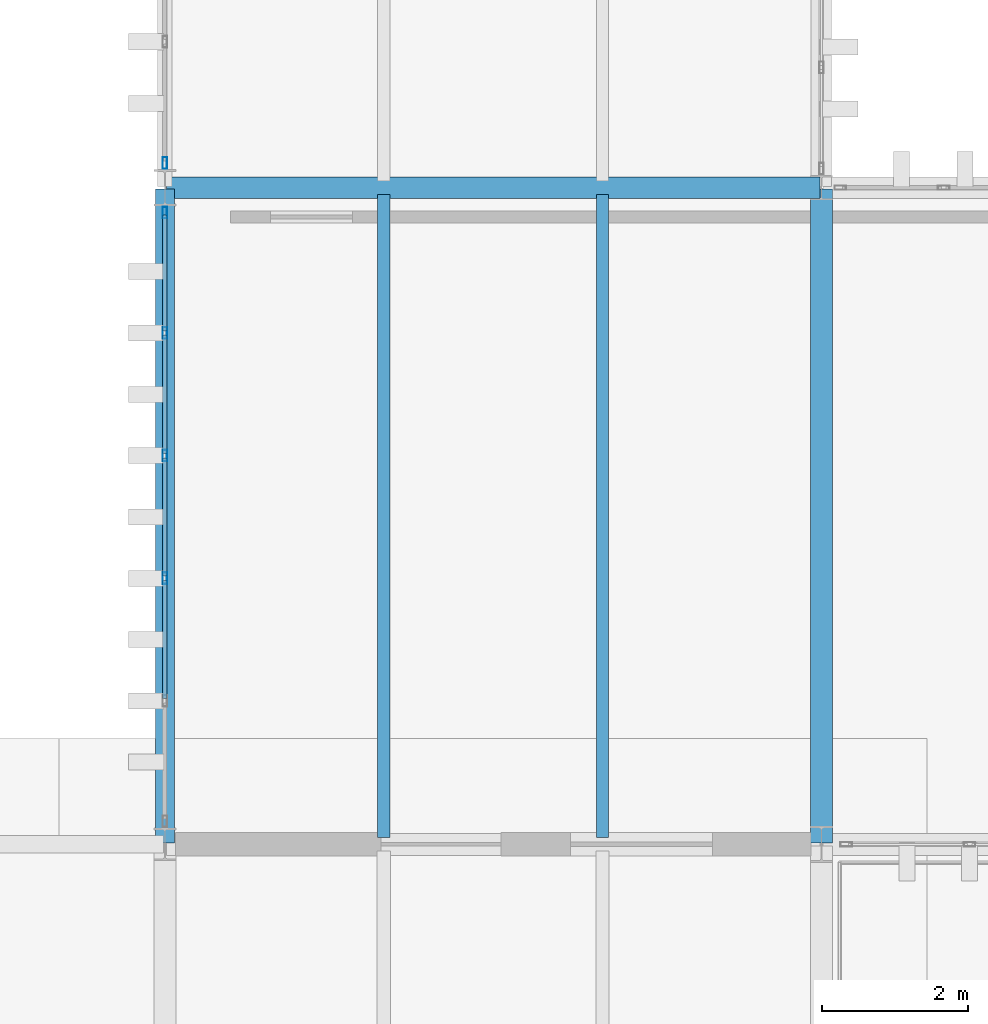
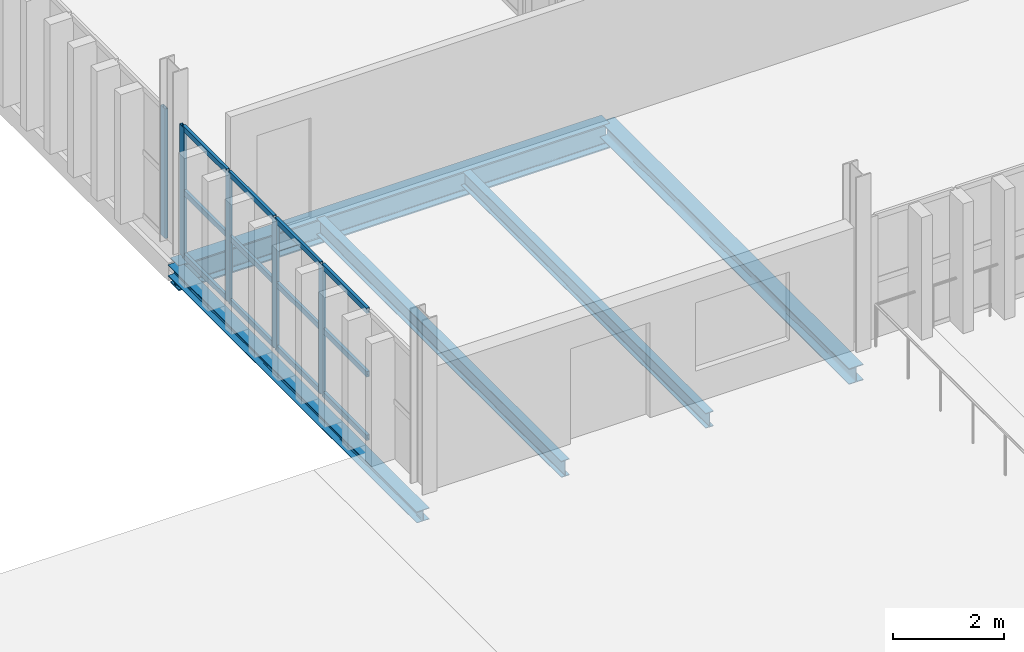
# One storey, part 37 of 102: 17 members, 5 beams, 2 elements without a shape of their own.
"""IFC4 building model written with IfcOpenShell, lengths in metres."""

from ifc_helpers import new_model, si_unit, direction, frame, origin, origin_2d, place, context, subcontext, project, spatial, hollow_rectangle, i_section, extrude, material, layer, layer_set, material_profile, profile_set, type_object, element, aggregate, save


model = new_model("IFC4")

# Units and contexts
model_context = context("Model", 3, precision=1e-05, world=origin(), true_north=direction((0.0, 1.0)))
body_context = subcontext(model_context, "Body", "Model", "MODEL_VIEW")
ifc_project = project(units=[si_unit("LENGTHUNIT", "METRE"), si_unit("AREAUNIT", "SQUARE_METRE"), si_unit("VOLUMEUNIT", "CUBIC_METRE"), si_unit("PLANEANGLEUNIT", "RADIAN"), si_unit("MASSUNIT", "GRAM", prefix="KILO")], contexts=[model_context])

# Site, building, storey
site_placement = place(None, origin())
site = spatial("IfcSite", under=ifc_project, at=site_placement, CompositionType="ELEMENT")
building_placement = place(site_placement, origin())
building = spatial("IfcBuilding", under=site, at=building_placement, Name="Barlavento Convention Centre", CompositionType="ELEMENT")
storey_placement = place(building_placement, frame((0.0, 0.0, 22.800048828125)))
storey = spatial("IfcBuildingStorey", under=building, at=storey_placement, Name="L04", CompositionType="ELEMENT", Elevation=22.800048828125)

# Curtain wall, members
ifc_material_1 = material(Name="Powder-coated aluminium and Low-E glass", Category="aluminium")
ifc_layer = layer(ifc_material_1, 0.18505859375)
ifc_layer_set = layer_set([ifc_layer], Name="ARC-CW-CONF-L04")
curtain_wall_type = type_object("IfcCurtainWallType", Name="ARC-CW-CONF-L04", PredefinedType="NOTDEFINED", material=ifc_layer_set)
curtain_wall_1_placement = place(storey_placement, origin())
curtain_wall_1 = element("IfcCurtainWall", 1, at=curtain_wall_1_placement, inside=storey, type_object=curtain_wall_type, Name="L04 unitised curtain wall CW09", PredefinedType="NOTDEFINED")
ifc_material_2 = material(Name="Powder-coated aluminium", Category="aluminium")
ifc_material_profile_1 = material_profile(ifc_material_2, hollow_rectangle(XDim=0.06005859375, YDim=0.159912109375, WallThickness=0.00390625, at=origin_2d()), Name="AL-MULL 60x160x4")
ifc_profile_set_1 = profile_set([ifc_material_profile_1], Name="Powder-coated aluminium")
member_type_1 = type_object("IfcMemberType", Name="ARC-CWM-60X160", PredefinedType="MULLION", material=ifc_profile_set_1)
member_1_placement = place(storey_placement, frame((126.0, 57.64697265625, 0.0), z_axis=(0.0, 0.0, 1.0), x_axis=(-1.0, 0.0, 0.0)))
member_1 = element("IfcMember", 2, at=member_1_placement, type_object=member_type_1, Name="CW09 mullion 3", PredefinedType="MULLION", context=body_context, shape_type="SweptSolid", body=[
    extrude(hollow_rectangle(XDim=0.06005859375, YDim=0.159912109375, WallThickness=0.00390625, at=origin_2d()), origin(), (0.0, 0.0, 1.0), 2.849853515625),
])
member_2_placement = place(storey_placement, frame((126.0, 59.327880859375, 0.0), z_axis=(0.0, 0.0, 1.0), x_axis=(-1.0, 0.0, 0.0)))
member_2 = element("IfcMember", 3, at=member_2_placement, type_object=member_type_1, Name="CW09 mullion 4", PredefinedType="MULLION", context=body_context, shape_type="SweptSolid", body=[
    extrude(hollow_rectangle(XDim=0.06005859375, YDim=0.159912109375, WallThickness=0.00390625, at=origin_2d()), origin(), (0.0, 0.0, 1.0), 2.849853515625),
])
member_3_placement = place(storey_placement, frame((126.0, 61.009033203125, 0.0), z_axis=(0.0, 0.0, 1.0), x_axis=(-1.0, 0.0, 0.0)))
member_3 = element("IfcMember", 4, at=member_3_placement, type_object=member_type_1, Name="CW09 mullion 5", PredefinedType="MULLION", context=body_context, shape_type="SweptSolid", body=[
    extrude(hollow_rectangle(XDim=0.06005859375, YDim=0.159912109375, WallThickness=0.00390625, at=origin_2d()), origin(), (0.0, 0.0, 1.0), 2.849853515625),
])
member_4_placement = place(storey_placement, frame((126.0, 62.659912109375, 0.0), z_axis=(0.0, 0.0, 1.0), x_axis=(-1.0, 0.0, 0.0)))
member_4 = element("IfcMember", 5, at=member_4_placement, type_object=member_type_1, Name="CW09 mullion 6", PredefinedType="MULLION", context=body_context, shape_type="SweptSolid", body=[
    extrude(hollow_rectangle(XDim=0.06005859375, YDim=0.159912109375, WallThickness=0.00390625, at=origin_2d()), origin(), (0.0, 0.0, 1.0), 2.849853515625),
])

# Curtain wall, member
curtain_wall_2_placement = place(storey_placement, origin())
curtain_wall_2 = element("IfcCurtainWall", 6, at=curtain_wall_2_placement, inside=storey, type_object=curtain_wall_type, Name="L04 unitised curtain wall CW09", PredefinedType="NOTDEFINED")
member_5_placement = place(storey_placement, frame((126.0, 63.340087890625, 0.0), z_axis=(0.0, 0.0, 1.0), x_axis=(-1.0, 0.0, 0.0)))
member_5 = element("IfcMember", 7, at=member_5_placement, type_object=member_type_1, Name="CW09 mullion 1", PredefinedType="MULLION", context=body_context, shape_type="SweptSolid", body=[
    extrude(hollow_rectangle(XDim=0.06005859375, YDim=0.159912109375, WallThickness=0.00390625, at=origin_2d()), origin(), (0.0, 0.0, 1.0), 2.849853515625),
])
aggregate(curtain_wall_2, [member_5])

# Member
ifc_material_profile_2 = material_profile(ifc_material_2, hollow_rectangle(XDim=0.06005859375, YDim=0.1201171875, WallThickness=0.00390625, at=origin_2d()), Name="AL-TRAN 60x120x4")
ifc_profile_set_2 = profile_set([ifc_material_profile_2], Name="Powder-coated aluminium")
member_type_2 = type_object("IfcMemberType", Name="ARC-CWT-60X120", PredefinedType="USERDEFINED", material=ifc_profile_set_2)
member_6_placement = place(storey_placement, frame((126.0, 55.99609375, 0.030029296875), z_axis=(0.0, 1.0, 0.0), x_axis=(-1.0, 0.0, 0.0)))
member_6 = element("IfcMember", 8, at=member_6_placement, type_object=member_type_2, Name="CW09 transom 2.1", ObjectType="TRANSOM", PredefinedType="USERDEFINED", context=body_context, shape_type="SweptSolid", body=[
    extrude(hollow_rectangle(XDim=0.06005859375, YDim=0.1201171875, WallThickness=0.00390625, at=origin_2d()), origin(), (0.0, 0.0, 1.0), 1.620849609375),
])

member_7_placement = place(storey_placement, frame((126.0, 55.99609375, 1.425048828125), z_axis=(0.0, 1.0, 0.0), x_axis=(-1.0, 0.0, 0.0)))
member_7 = element("IfcMember", 9, at=member_7_placement, type_object=member_type_2, Name="CW09 transom 2.2", ObjectType="TRANSOM", PredefinedType="USERDEFINED", context=body_context, shape_type="SweptSolid", body=[
    extrude(hollow_rectangle(XDim=0.06005859375, YDim=0.1201171875, WallThickness=0.00390625, at=origin_2d()), origin(), (0.0, 0.0, 1.0), 1.620849609375),
])

member_8_placement = place(storey_placement, frame((126.0, 55.99609375, 2.820068359375), z_axis=(0.0, 1.0, 0.0), x_axis=(-1.0, 0.0, 0.0)))
member_8 = element("IfcMember", 10, at=member_8_placement, type_object=member_type_2, Name="CW09 transom 2.3", ObjectType="TRANSOM", PredefinedType="USERDEFINED", context=body_context, shape_type="SweptSolid", body=[
    extrude(hollow_rectangle(XDim=0.06005859375, YDim=0.1201171875, WallThickness=0.00390625, at=origin_2d()), origin(), (0.0, 0.0, 1.0), 1.620849609375),
])

member_9_placement = place(storey_placement, frame((126.0, 57.677001953125, 0.030029296875), z_axis=(0.0, 1.0, 0.0), x_axis=(-1.0, 0.0, 0.0)))
member_9 = element("IfcMember", 11, at=member_9_placement, type_object=member_type_2, Name="CW09 transom 3.1", ObjectType="TRANSOM", PredefinedType="USERDEFINED", context=body_context, shape_type="SweptSolid", body=[
    extrude(hollow_rectangle(XDim=0.06005859375, YDim=0.1201171875, WallThickness=0.00390625, at=origin_2d()), origin(), (0.0, 0.0, 1.0), 1.62109375),
])

member_10_placement = place(storey_placement, frame((126.0, 57.677001953125, 1.425048828125), z_axis=(0.0, 1.0, 0.0), x_axis=(-1.0, 0.0, 0.0)))
member_10 = element("IfcMember", 12, at=member_10_placement, type_object=member_type_2, Name="CW09 transom 3.2", ObjectType="TRANSOM", PredefinedType="USERDEFINED", context=body_context, shape_type="SweptSolid", body=[
    extrude(hollow_rectangle(XDim=0.06005859375, YDim=0.1201171875, WallThickness=0.00390625, at=origin_2d()), origin(), (0.0, 0.0, 1.0), 1.62109375),
])

member_11_placement = place(storey_placement, frame((126.0, 57.677001953125, 2.820068359375), z_axis=(0.0, 1.0, 0.0), x_axis=(-1.0, 0.0, 0.0)))
member_11 = element("IfcMember", 13, at=member_11_placement, type_object=member_type_2, Name="CW09 transom 3.3", ObjectType="TRANSOM", PredefinedType="USERDEFINED", context=body_context, shape_type="SweptSolid", body=[
    extrude(hollow_rectangle(XDim=0.06005859375, YDim=0.1201171875, WallThickness=0.00390625, at=origin_2d()), origin(), (0.0, 0.0, 1.0), 1.62109375),
])

member_12_placement = place(storey_placement, frame((126.0, 59.35791015625, 0.030029296875), z_axis=(0.0, 1.0, 0.0), x_axis=(-1.0, 0.0, 0.0)))
member_12 = element("IfcMember", 14, at=member_12_placement, type_object=member_type_2, Name="CW09 transom 4.1", ObjectType="TRANSOM", PredefinedType="USERDEFINED", context=body_context, shape_type="SweptSolid", body=[
    extrude(hollow_rectangle(XDim=0.06005859375, YDim=0.1201171875, WallThickness=0.00390625, at=origin_2d()), origin(), (0.0, 0.0, 1.0), 1.62109375),
])

member_13_placement = place(storey_placement, frame((126.0, 59.35791015625, 1.425048828125), z_axis=(0.0, 1.0, 0.0), x_axis=(-1.0, 0.0, 0.0)))
member_13 = element("IfcMember", 15, at=member_13_placement, type_object=member_type_2, Name="CW09 transom 4.2", ObjectType="TRANSOM", PredefinedType="USERDEFINED", context=body_context, shape_type="SweptSolid", body=[
    extrude(hollow_rectangle(XDim=0.06005859375, YDim=0.1201171875, WallThickness=0.00390625, at=origin_2d()), origin(), (0.0, 0.0, 1.0), 1.62109375),
])

member_14_placement = place(storey_placement, frame((126.0, 59.35791015625, 2.820068359375), z_axis=(0.0, 1.0, 0.0), x_axis=(-1.0, 0.0, 0.0)))
member_14 = element("IfcMember", 16, at=member_14_placement, type_object=member_type_2, Name="CW09 transom 4.3", ObjectType="TRANSOM", PredefinedType="USERDEFINED", context=body_context, shape_type="SweptSolid", body=[
    extrude(hollow_rectangle(XDim=0.06005859375, YDim=0.1201171875, WallThickness=0.00390625, at=origin_2d()), origin(), (0.0, 0.0, 1.0), 1.62109375),
])

member_15_placement = place(storey_placement, frame((126.0, 61.0390625, 0.030029296875), z_axis=(0.0, 1.0, 0.0), x_axis=(-1.0, 0.0, 0.0)))
member_15 = element("IfcMember", 17, at=member_15_placement, type_object=member_type_2, Name="CW09 transom 5.1", ObjectType="TRANSOM", PredefinedType="USERDEFINED", context=body_context, shape_type="SweptSolid", body=[
    extrude(hollow_rectangle(XDim=0.06005859375, YDim=0.1201171875, WallThickness=0.00390625, at=origin_2d()), origin(), (0.0, 0.0, 1.0), 1.5908203125),
])

member_16_placement = place(storey_placement, frame((126.0, 61.0390625, 1.425048828125), z_axis=(0.0, 1.0, 0.0), x_axis=(-1.0, 0.0, 0.0)))
member_16 = element("IfcMember", 18, at=member_16_placement, type_object=member_type_2, Name="CW09 transom 5.2", ObjectType="TRANSOM", PredefinedType="USERDEFINED", context=body_context, shape_type="SweptSolid", body=[
    extrude(hollow_rectangle(XDim=0.06005859375, YDim=0.1201171875, WallThickness=0.00390625, at=origin_2d()), origin(), (0.0, 0.0, 1.0), 1.5908203125),
])

member_17_placement = place(storey_placement, frame((126.0, 61.0390625, 2.820068359375), z_axis=(0.0, 1.0, 0.0), x_axis=(-1.0, 0.0, 0.0)))
member_17 = element("IfcMember", 19, at=member_17_placement, type_object=member_type_2, Name="CW09 transom 5.3", ObjectType="TRANSOM", PredefinedType="USERDEFINED", context=body_context, shape_type="SweptSolid", body=[
    extrude(hollow_rectangle(XDim=0.06005859375, YDim=0.1201171875, WallThickness=0.00390625, at=origin_2d()), origin(), (0.0, 0.0, 1.0), 1.5908203125),
])

aggregate(curtain_wall_1, [member_1, member_2, member_3, member_4, member_6, member_7, member_8, member_9, member_10, member_11, member_12, member_13, member_14, member_15, member_16, member_17])

# Beams
ifc_material_3 = material(Name="Steel S355", Category="steel")
ifc_material_profile_3 = material_profile(ifc_material_3, i_section(OverallWidth=0.159912109375, OverallDepth=0.330078125, WebThickness=0.007568359375, FlangeThickness=0.011474609375, FilletRadius=0.01806640625, at=origin_2d()), Name="IPE 330")
ifc_profile_set_3 = profile_set([ifc_material_profile_3], Name="Steel S355")
beam_type_1 = type_object("IfcBeamType", Name="STR-BM-JST-IPE330", PredefinedType="JOIST", material=ifc_profile_set_3)
beam_1_placement = place(storey_placement, frame((132.0, 54.094970703125, -0.525146484375), z_axis=(0.0, 1.0, 0.0), x_axis=(-1.0, 0.0, 0.0)))
element("IfcBeam", 20, at=beam_1_placement, inside=storey, type_object=beam_type_1, Name="L04 composite floor joist SJ06", PredefinedType="JOIST", context=body_context, shape_type="SweptSolid", body=[
    extrude(i_section(OverallWidth=0.159912109375, OverallDepth=0.330078125, WebThickness=0.007568359375, FlangeThickness=0.011474609375, FilletRadius=0.01806640625, at=origin_2d()), origin(), (0.0, 0.0, 1.0), 8.81005859375),
])
ifc_material_profile_4 = material_profile(ifc_material_3, i_section(OverallWidth=0.169921875, OverallDepth=0.360107421875, WebThickness=0.008056640625, FlangeThickness=0.0126953125, FilletRadius=0.01806640625, at=origin_2d()), Name="IPE 360")
ifc_profile_set_4 = profile_set([ifc_material_profile_4], Name="Steel S355")
beam_type_2 = type_object("IfcBeamType", Name="STR-BM-JST-IPE360", PredefinedType="JOIST", material=ifc_profile_set_4)
beam_2_placement = place(storey_placement, frame((129.0, 54.094970703125, -0.5400390625), z_axis=(0.0, 1.0, 0.0), x_axis=(-1.0, 0.0, 0.0)))
element("IfcBeam", 21, at=beam_2_placement, inside=storey, type_object=beam_type_2, Name="L04 composite floor joist SJ05", PredefinedType="JOIST", context=body_context, shape_type="SweptSolid", body=[
    extrude(i_section(OverallWidth=0.169921875, OverallDepth=0.360107421875, WebThickness=0.008056640625, FlangeThickness=0.0126953125, FilletRadius=0.01806640625, at=origin_2d()), origin(), (0.0, 0.0, 1.0), 8.81005859375),
])
ifc_material_profile_5 = material_profile(ifc_material_3, i_section(OverallWidth=0.300048828125, OverallDepth=0.35009765625, WebThickness=0.010009765625, FlangeThickness=0.017578125, FilletRadius=0.027099609375, at=origin_2d()), Name="HEA 360")
ifc_profile_set_5 = profile_set([ifc_material_profile_5], Name="Steel S355")
beam_type_3 = type_object("IfcBeamType", Name="STR-BM-PRI-HEA360", PredefinedType="BEAM", material=ifc_profile_set_5)
beam_3_placement = place(storey_placement, frame((135.0, 54.02001953125, -0.53515625), z_axis=(0.0, 1.0, 0.0), x_axis=(-1.0, 0.0, 0.0)))
element("IfcBeam", 22, at=beam_3_placement, inside=storey, type_object=beam_type_3, Name="L04 grid girder BG23", PredefinedType="BEAM", context=body_context, shape_type="SweptSolid", body=[
    extrude(i_section(OverallWidth=0.300048828125, OverallDepth=0.35009765625, WebThickness=0.010009765625, FlangeThickness=0.017578125, FilletRadius=0.027099609375, at=origin_2d()), origin(), (0.0, 0.0, 1.0), 8.9599609375),
])
ifc_material_profile_6 = material_profile(ifc_material_3, i_section(OverallWidth=0.300048828125, OverallDepth=0.550048828125, WebThickness=0.014892578125, FlangeThickness=0.029052734375, FilletRadius=0.027099609375, at=origin_2d()), Name="HEB 550")
ifc_profile_set_6 = profile_set([ifc_material_profile_6], Name="Steel S355")
beam_type_4 = type_object("IfcBeamType", Name="STR-BM-PRI-HEB550", PredefinedType="BEAM", material=ifc_profile_set_6)
beam_4_placement = place(storey_placement, frame((126.02001953125, 63.0, -0.635009765625), z_axis=(1.0, 0.0, 0.0), x_axis=(0.0, 1.0, 0.0)))
element("IfcBeam", 23, at=beam_4_placement, inside=storey, type_object=beam_type_4, Name="L04 primary girder BG08", PredefinedType="BEAM", context=body_context, shape_type="SweptSolid", body=[
    extrude(i_section(OverallWidth=0.300048828125, OverallDepth=0.550048828125, WebThickness=0.014892578125, FlangeThickness=0.029052734375, FilletRadius=0.027099609375, at=origin_2d()), origin(), (0.0, 0.0, 1.0), 8.9599609375),
])
ifc_material_profile_7 = material_profile(ifc_material_3, i_section(OverallWidth=0.260009765625, OverallDepth=0.25, WebThickness=0.007568359375, FlangeThickness=0.012451171875, FilletRadius=0.02392578125, at=origin_2d()), Name="HEA 260")
ifc_profile_set_7 = profile_set([ifc_material_profile_7], Name="Steel S355")
beam_type_5 = type_object("IfcBeamType", Name="STR-BM-SPN-HEA260", PredefinedType="SPANDREL", material=ifc_profile_set_7)
beam_5_placement = place(storey_placement, frame((126.0, 54.02001953125, -0.485107421875), z_axis=(0.0, 1.0, 0.0), x_axis=(-1.0, 0.0, 0.0)))
element("IfcBeam", 24, at=beam_5_placement, inside=storey, type_object=beam_type_5, Name="L04 grid girder SP04", PredefinedType="SPANDREL", context=body_context, shape_type="SweptSolid", body=[
    extrude(i_section(OverallWidth=0.260009765625, OverallDepth=0.25, WebThickness=0.007568359375, FlangeThickness=0.012451171875, FilletRadius=0.02392578125, at=origin_2d()), origin(), (0.0, 0.0, 1.0), 8.9599609375),
])

save(model, "model.ifc")
